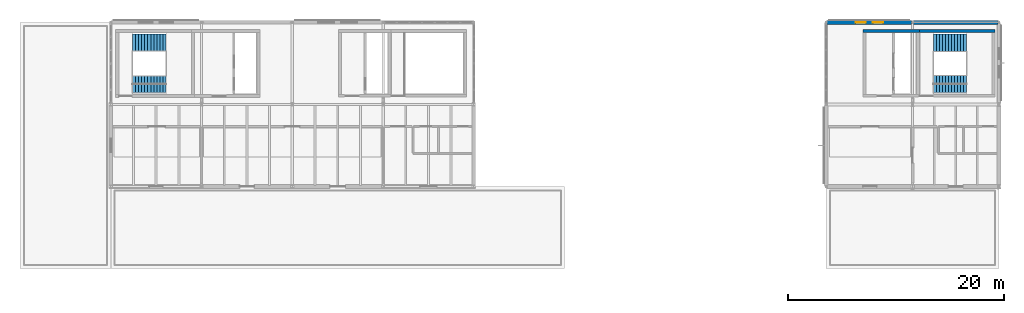
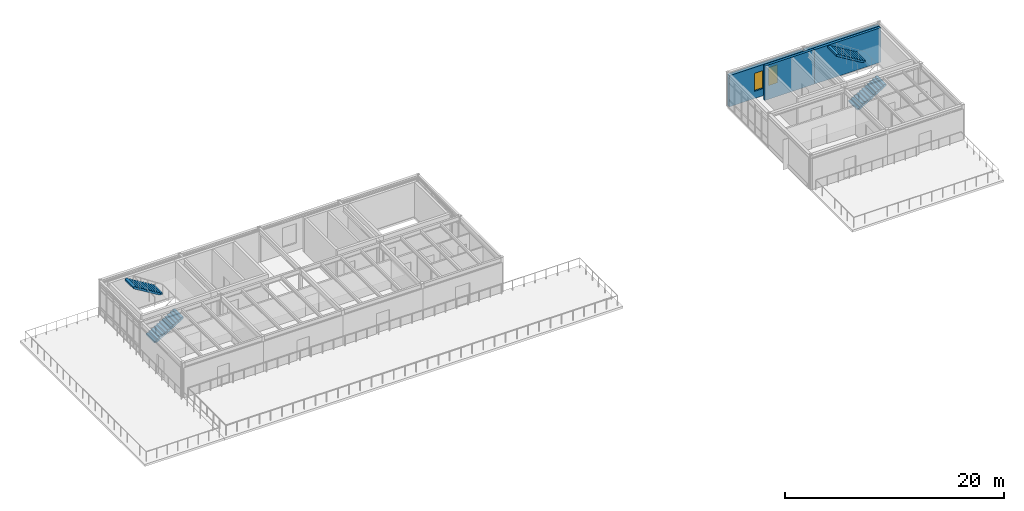
# One storey, part 23 of 26: 4 stair flights, 4 walls, 2 windows, 2 openings, 2 elements without a shape of their own.
"""IFC4 building model written with IfcOpenShell, lengths in metres."""

from ifc_helpers import new_model, si_unit, direction, frame, frame_2d, origin, place, context, subcontext, project, spatial, polyline, rectangle, outline, extrude, material, layer, layer_set, type_object, element, fill, aggregate, save


model = new_model("IFC4")

# Units and contexts
model_context = context("Model", 3, precision=1e-05, world=origin(), true_north=direction((0.0, 1.0)))
body_context = subcontext(model_context, "Body", "Model", "MODEL_VIEW")
ifc_project = project(units=[si_unit("LENGTHUNIT", "METRE"), si_unit("AREAUNIT", "SQUARE_METRE"), si_unit("VOLUMEUNIT", "CUBIC_METRE"), si_unit("PLANEANGLEUNIT", "RADIAN"), si_unit("MASSUNIT", "GRAM", prefix="KILO")], contexts=[model_context])

# Site, building, storey
site_placement = place(None, origin())
site = spatial("IfcSite", under=ifc_project, at=site_placement, CompositionType="ELEMENT")
building_placement = place(site_placement, origin())
building = spatial("IfcBuilding", under=site, at=building_placement, Name="Montecoro Central Library", CompositionType="ELEMENT")
storey_placement = place(building_placement, frame((0.0, 0.0, 21.419921875)))
storey = spatial("IfcBuildingStorey", under=building, at=storey_placement, Name="L05", CompositionType="ELEMENT", Elevation=21.419921875)

# Wall
ifc_material_1 = material(Name="Roman travertine stone clad concrete C35/45", Category="masonry")
ifc_layer_1 = layer(ifc_material_1, 0.364990234375)
ifc_layer_set_1 = layer_set([ifc_layer_1], Name="Roman travertine stone clad concrete C35/45")
wall_type_1 = type_object("IfcWallType", Name="EW-STK-365", PredefinedType="SOLIDWALL", material=ifc_layer_set_1)
wall_1_placement = place(storey_placement, frame((156.906982421875, 119.0, 0.0), z_axis=(0.0, 0.0, 1.0), x_axis=(-1.0, 0.0, 0.0)))
element("IfcWall", 1, at=wall_1_placement, inside=storey, type_object=wall_type_1, Name="V5-L05-EW-N1", PredefinedType="SOLIDWALL", context=body_context, shape_type="SweptSolid", body=[
    extrude(rectangle(XDim=7.81396484375, YDim=0.364990234375, at=frame_2d((3.906982421875, 0.0))), origin(), (0.0, 0.0, 1.0), 3.47998046875),
])

# Wall, openings, windows
wall_2_placement = place(storey_placement, frame((148.906982421875, 119.0, 0.0), z_axis=(0.0, 0.0, 1.0), x_axis=(-1.0, 0.0, 0.0)))
wall_2 = element("IfcWall", 2, at=wall_2_placement, inside=storey, type_object=wall_type_1, Name="V5-L05-EW-N0", PredefinedType="SOLIDWALL", context=body_context, shape_type="SweptSolid", body=[
    extrude(rectangle(XDim=7.81396484375, YDim=0.364990234375, at=frame_2d((3.906982421875, 0.0))), origin(), (0.0, 0.0, 1.0), 3.47998046875),
])
opening_1_placement = place(wall_2_placement, frame((2.632080078125, 0.0, 0.800048828125)))
opening_1 = element("IfcOpeningElement", 3, at=opening_1_placement, cuts=wall_2, Name="Opening WN-02", PredefinedType="OPENING", context=body_context, shape_type="SweptSolid", body=[
    extrude(rectangle(XDim=0.949951171875, YDim=2.0, at=frame_2d((0.47509765625, 1.0))), frame((0.0, 0.1923828125, 0.0), z_axis=(0.0, -1.0, 0.0), x_axis=(1.0, 0.0, 0.0)), (0.0, 0.0, 1.0), 0.385009765625),
])
opening_2_placement = place(wall_2_placement, frame((4.23193359375, 0.0, 0.800048828125)))
opening_2 = element("IfcOpeningElement", 4, at=opening_2_placement, cuts=wall_2, Name="Opening WN-02", PredefinedType="OPENING", context=body_context, shape_type="SweptSolid", body=[
    extrude(rectangle(XDim=0.949951171875, YDim=2.0, at=frame_2d((0.47509765625, 1.0))), frame((0.0, 0.1923828125, 0.0), z_axis=(0.0, -1.0, 0.0), x_axis=(1.0, 0.0, 0.0)), (0.0, 0.0, 1.0), 0.385009765625),
])
ifc_material_2 = material(Name="UV-filtered triple glazing", Category="glass")
window_type = type_object("IfcWindowType", Name="WN-STK-095", PartitioningType="SINGLE_PANEL", PredefinedType="WINDOW", material=ifc_material_2)
window_1_placement = place(opening_1_placement, origin())
window_1 = element("IfcWindow", 5, at=window_1_placement, inside=storey, type_object=window_type, Name="V5-L05-WN-N0-1", OverallHeight=2.0, OverallWidth=0.949951171875, PartitioningType="SINGLE_PANEL", PredefinedType="WINDOW", context=body_context, shape_type="SweptSolid", body=[
    extrude(rectangle(XDim=0.949951171875, YDim=2.0, at=frame_2d((0.47509765625, 1.0))), frame((0.0, 0.030029296875, 0.0), z_axis=(0.0, -1.0, 0.0), x_axis=(1.0, 0.0, 0.0)), (0.0, 0.0, 1.0), 0.06005859375),
])
fill(opening_1, window_1)
window_2_placement = place(opening_2_placement, origin())
window_2 = element("IfcWindow", 6, at=window_2_placement, inside=storey, type_object=window_type, Name="V5-L05-WN-N0-2", OverallHeight=2.0, OverallWidth=0.949951171875, PartitioningType="SINGLE_PANEL", PredefinedType="WINDOW", context=body_context, shape_type="SweptSolid", body=[
    extrude(rectangle(XDim=0.949951171875, YDim=2.0, at=frame_2d((0.47509765625, 1.0))), frame((0.0, 0.030029296875, 0.0), z_axis=(0.0, -1.0, 0.0), x_axis=(1.0, 0.0, 0.0)), (0.0, 0.0, 1.0), 0.06005859375),
])
fill(opening_2, window_2)

# Walls
ifc_material_3 = material(Name="Concrete C35/45", Category="concrete")
ifc_layer_2 = layer(ifc_material_3, 0.260009765625)
ifc_layer_set_2 = layer_set([ifc_layer_2], Name="Concrete C35/45")
wall_type_2 = type_object("IfcWallType", Name="IW-SHR-260", PredefinedType="SHEAR", material=ifc_layer_set_2)
wall_3_placement = place(storey_placement, frame((149.6298828125, 118.199951171875, 0.0), z_axis=(0.0, 0.0, 1.0), x_axis=(-1.0, 0.0, 0.0)))
element("IfcWall", 7, at=wall_3_placement, inside=storey, type_object=wall_type_2, Name="C6-L05-LWN", PredefinedType="SHEAR", context=body_context, shape_type="SweptSolid", body=[
    extrude(rectangle(XDim=5.2099609375, YDim=0.260009765625, at=frame_2d((2.60498046875, 0.0))), origin(), (0.0, 0.0, 1.0), 3.844970703125),
])
wall_4_placement = place(storey_placement, frame((149.3701171875, 118.199951171875, 0.0), z_axis=(0.0, 0.0, 1.0), x_axis=(1.0, 0.0, 0.0)))
element("IfcWall", 8, at=wall_4_placement, inside=storey, type_object=wall_type_2, Name="C6-L05-WN", PredefinedType="SHEAR", context=body_context, shape_type="SweptSolid", body=[
    extrude(rectangle(XDim=7.259765625, YDim=0.260009765625, at=frame_2d((3.6298828125, 0.0))), origin(), (0.0, 0.0, 1.0), 3.844970703125),
])

# Stair, stair flights
stair_type_1 = type_object("IfcStairType", Name="STR-RET-155", PredefinedType="HALF_TURN_STAIR", material=ifc_material_3)
stair_1_placement = place(storey_placement, origin())
stair_1 = element("IfcStair", 9, at=stair_1_placement, inside=storey, type_object=stair_type_1, Name="C2-L05-STR", PredefinedType="HALF_TURN_STAIR")
stair_flight_type_1 = type_object("IfcStairFlightType", Name="SFL-02", PredefinedType="STRAIGHT", material=ifc_material_3)
stair_flight_1_placement = place(storey_placement, frame((76.820068359375, 113.27490234375, 0.0), z_axis=(0.0, 0.0, 1.0), x_axis=(1.0, 0.0, 0.0)))
stair_flight_1 = element("IfcStairFlight", 10, at=stair_flight_1_placement, type_object=stair_flight_type_1, Name="ST-02 flight 1", NumberOfRisers=12, NumberOfTreads=11, PredefinedType="STRAIGHT", RiserHeight=0.17, TreadLength=0.28, context=body_context, shape_type="SweptSolid", body=[
    extrude(outline(polyline([(0.0, 0.0), (0.0, 0.169921875), (0.280029296875, 0.169921875), (0.280029296875, 0.340087890625), (0.56005859375, 0.340087890625), (0.56005859375, 0.510009765625), (0.840087890625, 0.510009765625), (0.840087890625, 0.679931640625), (1.1201171875, 0.679931640625), (1.1201171875, 0.85009765625), (1.39990234375, 0.85009765625), (1.39990234375, 1.02001953125), (1.679931640625, 1.02001953125), (1.679931640625, 1.18994140625), (1.9599609375, 1.18994140625), (1.9599609375, 1.360107421875), (2.239990234375, 1.360107421875), (2.239990234375, 1.530029296875), (2.52001953125, 1.530029296875), (2.52001953125, 1.699951171875), (2.800048828125, 1.699951171875), (2.800048828125, 1.8701171875), (3.080078125, 1.8701171875), (3.080078125, 2.0400390625), (3.080078125, 1.682861328125), (0.30810546875, 0.0), (0.0, 0.0)])), frame((0.0, 0.77490234375, 0.0), z_axis=(0.0, -1.0, 0.0), x_axis=(1.0, 0.0, 0.0)), (0.0, 0.0, 1.0), 1.550048828125),
])
stair_flight_2_placement = place(storey_placement, frame((79.89990234375, 117.125, 2.0400390625), z_axis=(0.0, 0.0, 1.0), x_axis=(-1.0, 0.0, 0.0)))
stair_flight_2 = element("IfcStairFlight", 11, at=stair_flight_2_placement, type_object=stair_flight_type_1, Name="ST-02 flight 2", NumberOfRisers=12, NumberOfTreads=11, PredefinedType="STRAIGHT", RiserHeight=0.17, TreadLength=0.28, context=body_context, shape_type="SweptSolid", body=[
    extrude(outline(polyline([(0.0, 0.0), (0.0, 0.169921875), (0.280029296875, 0.169921875), (0.280029296875, 0.340087890625), (0.56005859375, 0.340087890625), (0.56005859375, 0.510009765625), (0.840087890625, 0.510009765625), (0.840087890625, 0.679931640625), (1.1201171875, 0.679931640625), (1.1201171875, 0.85009765625), (1.39990234375, 0.85009765625), (1.39990234375, 1.02001953125), (1.679931640625, 1.02001953125), (1.679931640625, 1.18994140625), (1.9599609375, 1.18994140625), (1.9599609375, 1.360107421875), (2.239990234375, 1.360107421875), (2.239990234375, 1.530029296875), (2.52001953125, 1.530029296875), (2.52001953125, 1.699951171875), (2.800048828125, 1.699951171875), (2.800048828125, 1.8701171875), (3.080078125, 1.8701171875), (3.080078125, 2.0400390625), (3.080078125, 1.682861328125), (0.30810546875, 0.0), (0.0, 0.0)])), frame((0.0, 0.77490234375, 0.0), z_axis=(0.0, -1.0, 0.0), x_axis=(1.0, 0.0, 0.0)), (0.0, 0.0, 1.0), 1.550048828125),
])
aggregate(stair_1, [stair_flight_1, stair_flight_2])

stair_type_2 = type_object("IfcStairType", Name="STR-RET-160", PredefinedType="HALF_TURN_STAIR", material=ifc_material_3)
stair_2_placement = place(storey_placement, origin())
stair_2 = element("IfcStair", 12, at=stair_2_placement, inside=storey, type_object=stair_type_2, Name="C6-L05-STR", PredefinedType="HALF_TURN_STAIR")
stair_flight_type_2 = type_object("IfcStairFlightType", Name="SFL-03", PredefinedType="STRAIGHT", material=ifc_material_3)
stair_flight_3_placement = place(storey_placement, frame((150.919921875, 113.300048828125, 0.0), z_axis=(0.0, 0.0, 1.0), x_axis=(1.0, 0.0, 0.0)))
stair_flight_3 = element("IfcStairFlight", 13, at=stair_flight_3_placement, type_object=stair_flight_type_2, Name="ST-06 flight 1", NumberOfRisers=12, NumberOfTreads=11, PredefinedType="STRAIGHT", RiserHeight=0.17, TreadLength=0.28, context=body_context, shape_type="SweptSolid", body=[
    extrude(outline(polyline([(0.0, 0.0), (0.0, 0.169921875), (0.280029296875, 0.169921875), (0.280029296875, 0.340087890625), (0.56005859375, 0.340087890625), (0.56005859375, 0.510009765625), (0.840087890625, 0.510009765625), (0.840087890625, 0.679931640625), (1.1201171875, 0.679931640625), (1.1201171875, 0.85009765625), (1.39990234375, 0.85009765625), (1.39990234375, 1.02001953125), (1.679931640625, 1.02001953125), (1.679931640625, 1.18994140625), (1.9599609375, 1.18994140625), (1.9599609375, 1.360107421875), (2.239990234375, 1.360107421875), (2.239990234375, 1.530029296875), (2.52001953125, 1.530029296875), (2.52001953125, 1.699951171875), (2.800048828125, 1.699951171875), (2.800048828125, 1.8701171875), (3.080078125, 1.8701171875), (3.080078125, 2.0400390625), (3.080078125, 1.682861328125), (0.30810546875, 0.0), (0.0, 0.0)])), frame((0.0, 0.800048828125, 0.0), z_axis=(0.0, -1.0, 0.0), x_axis=(1.0, 0.0, 0.0)), (0.0, 0.0, 1.0), 1.60009765625),
])
stair_flight_4_placement = place(storey_placement, frame((154.0, 117.10009765625, 2.0400390625), z_axis=(0.0, 0.0, 1.0), x_axis=(-1.0, 0.0, 0.0)))
stair_flight_4 = element("IfcStairFlight", 14, at=stair_flight_4_placement, type_object=stair_flight_type_2, Name="ST-06 flight 2", NumberOfRisers=12, NumberOfTreads=11, PredefinedType="STRAIGHT", RiserHeight=0.17, TreadLength=0.28, context=body_context, shape_type="SweptSolid", body=[
    extrude(outline(polyline([(0.0, 0.0), (0.0, 0.169921875), (0.280029296875, 0.169921875), (0.280029296875, 0.340087890625), (0.56005859375, 0.340087890625), (0.56005859375, 0.510009765625), (0.840087890625, 0.510009765625), (0.840087890625, 0.679931640625), (1.1201171875, 0.679931640625), (1.1201171875, 0.85009765625), (1.39990234375, 0.85009765625), (1.39990234375, 1.02001953125), (1.679931640625, 1.02001953125), (1.679931640625, 1.18994140625), (1.9599609375, 1.18994140625), (1.9599609375, 1.360107421875), (2.239990234375, 1.360107421875), (2.239990234375, 1.530029296875), (2.52001953125, 1.530029296875), (2.52001953125, 1.699951171875), (2.800048828125, 1.699951171875), (2.800048828125, 1.8701171875), (3.080078125, 1.8701171875), (3.080078125, 2.0400390625), (3.080078125, 1.682861328125), (0.30810546875, 0.0), (0.0, 0.0)])), frame((0.0, 0.800048828125, 0.0), z_axis=(0.0, -1.0, 0.0), x_axis=(1.0, 0.0, 0.0)), (0.0, 0.0, 1.0), 1.60009765625),
])
aggregate(stair_2, [stair_flight_3, stair_flight_4])

save(model, "model.ifc")
